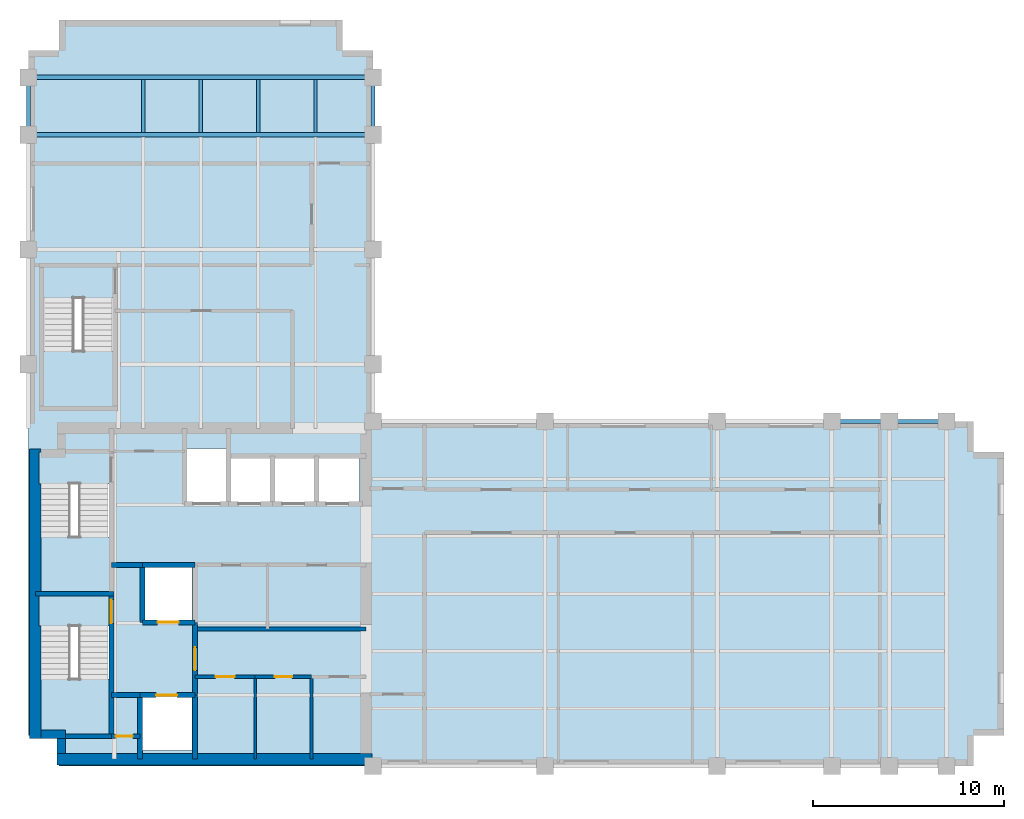
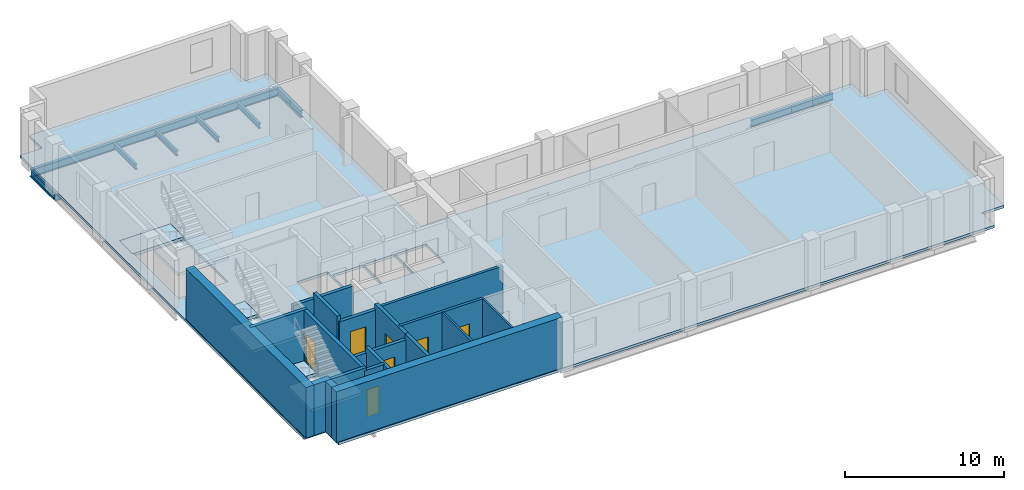
# One storey, part 2 of 6: 22 walls, 10 beams, 7 doors, 7 slabs, 7 openings, 3 elements without a shape of their own.
"""IFC4 building model written with IfcOpenShell, lengths in metres."""

from ifc_helpers import new_model, si_unit, direction, frame, frame_2d, origin, origin_2d, place, context, subcontext, project, spatial, polyline, rectangle, i_section, outline, extrude, material, layer, layer_set, material_profile, profile_set, type_object, element, fill, aggregate, save


model = new_model("IFC4")

# Units and contexts
model_context = context("Model", 3, precision=1e-05, world=origin(), true_north=direction((0.0, 1.0)))
body_context = subcontext(model_context, "Body", "Model", "MODEL_VIEW")
ifc_project = project(units=[si_unit("LENGTHUNIT", "METRE"), si_unit("AREAUNIT", "SQUARE_METRE"), si_unit("VOLUMEUNIT", "CUBIC_METRE"), si_unit("PLANEANGLEUNIT", "RADIAN"), si_unit("MASSUNIT", "GRAM", prefix="KILO")], contexts=[model_context])

# Site, building, storey
site_placement = place(None, origin())
site = spatial("IfcSite", under=ifc_project, at=site_placement, CompositionType="ELEMENT")
building_placement = place(site_placement, origin())
building = spatial("IfcBuilding", under=site, at=building_placement, Name="Mawjdan Bourse Tower", CompositionType="ELEMENT")
storey_placement = place(building_placement, frame((0.0, 0.0, 211.199951171875)))
storey = spatial("IfcBuildingStorey", under=building, at=storey_placement, Name="L51", CompositionType="ELEMENT", Elevation=211.199951171875)

# Beams
ifc_material_1 = material(Name="Structural Steel S355", Category="steel")
ifc_material_profile_1 = material_profile(ifc_material_1, i_section(OverallWidth=0.22998046875, OverallDepth=0.616943359375, WebThickness=0.01318359375, FlangeThickness=0.022216796875, FilletRadius=0.017822265625, at=origin_2d()), Name="W24X94")
ifc_profile_set_1 = profile_set([ifc_material_profile_1], Name="Structural Steel S355")
beam_type_1 = type_object("IfcBeamType", Name="GRD-W24X94", PredefinedType="BEAM", material=ifc_profile_set_1)
for number, where, z_axis, x_axis, name in (
    (1, (6.0, 36.0, -0.508544921875), (1.0, 0.0, 0.0), (0.0, 1.0, 0.0), "L51 North Wing Clear-Span Girder 049"),
    (2, (6.0, 39.0, -0.508544921875), (1.0, 0.0, 0.0), (0.0, 1.0, 0.0), "L51 North Wing Clear-Span Girder 050"),
):
    element("IfcBeam", number, at=place(storey_placement, frame(where, z_axis=z_axis, x_axis=x_axis)), inside=storey, type_object=beam_type_1, Name=name, PredefinedType="BEAM", context=body_context, shape_type="SweptSolid", body=[
        extrude(i_section(OverallWidth=0.22998046875, OverallDepth=0.616943359375, WebThickness=0.01318359375, FlangeThickness=0.022216796875, FilletRadius=0.017822265625, at=origin_2d()), origin(), (0.0, 0.0, 1.0), 18.0),
    ])
ifc_material_profile_2 = material_profile(ifc_material_1, i_section(OverallWidth=0.177978515625, OverallDepth=0.406982421875, WebThickness=0.0078125, FlangeThickness=0.0126953125, FilletRadius=0.01025390625, at=origin_2d()), Name="W16X40")
ifc_profile_set_2 = profile_set([ifc_material_profile_2], Name="Structural Steel S355")
beam_type_2 = type_object("IfcBeamType", Name="JST-W16X40", PredefinedType="JOIST", material=ifc_profile_set_2)
for number, where, z_axis, x_axis, name in (
    (3, (12.0, 36.113037109375, -0.403564453125), (0.0, 1.0, 0.0), (-1.0, 0.0, 0.0), "L51 North Wing Composite Joist 062"),
    (4, (15.0, 36.113037109375, -0.403564453125), (0.0, 1.0, 0.0), (-1.0, 0.0, 0.0), "L51 North Wing Composite Joist 066"),
    (5, (18.0, 36.113037109375, -0.403564453125), (0.0, 1.0, 0.0), (-1.0, 0.0, 0.0), "L51 North Wing Composite Joist 070"),
    (6, (21.0, 36.113037109375, -0.403564453125), (0.0, 1.0, 0.0), (-1.0, 0.0, 0.0), "L51 North Wing Composite Joist 074"),
):
    element("IfcBeam", number, at=place(storey_placement, frame(where, z_axis=z_axis, x_axis=x_axis)), inside=storey, type_object=beam_type_2, Name=name, PredefinedType="JOIST", context=body_context, shape_type="SweptSolid", body=[
        extrude(i_section(OverallWidth=0.177978515625, OverallDepth=0.406982421875, WebThickness=0.0078125, FlangeThickness=0.0126953125, FilletRadius=0.01025390625, at=origin_2d()), origin(), (0.0, 0.0, 1.0), 2.77392578125),
    ])
ifc_material_profile_3 = material_profile(ifc_material_1, i_section(OverallWidth=0.2099609375, OverallDepth=0.537109375, WebThickness=0.010986328125, FlangeThickness=0.017333984375, FilletRadius=0.013916015625, at=origin_2d()), Name="W21X68")
ifc_profile_set_3 = profile_set([ifc_material_profile_3], Name="Structural Steel S355")
beam_type_3 = type_object("IfcBeamType", Name="SPN-W21X68", PredefinedType="SPANDREL", material=ifc_profile_set_3)
for number, where, z_axis, x_axis, name in (
    (7, (48.0, 21.0, -0.468505859375), (1.0, 0.0, 0.0), (0.0, 1.0, 0.0), "L51 Perimeter Masonry-Shelf Spandrel 015"),
    (8, (51.0, 21.0, -0.468505859375), (1.0, 0.0, 0.0), (0.0, 1.0, 0.0), "L51 Perimeter Masonry-Shelf Spandrel 016"),
    (9, (6.0, 36.0, -0.468505859375), (0.0, 1.0, 0.0), (-1.0, 0.0, 0.0), "L51 North Wing Spandrel 054"),
    (10, (24.0, 36.0, -0.468505859375), (0.0, 1.0, 0.0), (-1.0, 0.0, 0.0), "L51 North Wing Spandrel 058"),
):
    element("IfcBeam", number, at=place(storey_placement, frame(where, z_axis=z_axis, x_axis=x_axis)), inside=storey, type_object=beam_type_3, Name=name, PredefinedType="SPANDREL", context=body_context, shape_type="SweptSolid", body=[
        extrude(i_section(OverallWidth=0.2099609375, OverallDepth=0.537109375, WebThickness=0.010986328125, FlangeThickness=0.017333984375, FilletRadius=0.013916015625, at=origin_2d()), origin(), (0.0, 0.0, 1.0), 3.0),
    ])

# Stair, slabs
ifc_material_2 = material(Name="Concrete C50/60", Category="concrete")
stair_type = type_object("IfcStairType", Name="STR-CORE-1500", PredefinedType="HALF_TURN_STAIR", material=ifc_material_2)
stair_1_placement = place(storey_placement, origin())
stair_1 = element("IfcStair", 11, at=stair_1_placement, inside=storey, type_object=stair_type, Name="L51 Exit Stair 1 (Core South-West)", PredefinedType="HALF_TURN_STAIR")
ifc_layer_1 = layer(ifc_material_2, 0.22998046875)
ifc_layer_set_1 = layer_set([ifc_layer_1], Name="Concrete C50/60")
slab_type_1 = type_object("IfcSlabType", Name="SL-LND-230", PredefinedType="LANDING", material=ifc_layer_set_1)
slab_1_placement = place(storey_placement, frame((0.0, 0.0, -0.22998046875)))
slab_1 = element("IfcSlab", 12, at=slab_1_placement, type_object=slab_type_1, Name="ST1-L51 landing 1", PredefinedType="LANDING", context=body_context, shape_type="SweptSolid", body=[
    extrude(outline(polyline([(6.5400390625, 10.31005859375), (10.260009765625, 10.31005859375), (10.260009765625, 11.969970703125), (6.5400390625, 11.969970703125), (6.5400390625, 10.31005859375)])), origin(), (0.0, 0.0, 1.0), 0.22998046875),
])
slab_2_placement = place(storey_placement, frame((0.0, 0.0, 1.719970703125)))
slab_2 = element("IfcSlab", 13, at=slab_2_placement, type_object=slab_type_1, Name="ST1-L51 landing 2", PredefinedType="LANDING", context=body_context, shape_type="SweptSolid", body=[
    extrude(outline(polyline([(6.5400390625, 4.590087890625), (10.260009765625, 4.590087890625), (10.260009765625, 7.5400390625), (6.5400390625, 7.5400390625), (6.5400390625, 4.590087890625)])), origin(), (0.0, 0.0, 1.0), 0.22998046875),
])
aggregate(stair_1, [slab_1, slab_2])

stair_2_placement = place(storey_placement, origin())
stair_2 = element("IfcStair", 14, at=stair_2_placement, inside=storey, type_object=stair_type, Name="L51 Exit Stair 2 (Core North-West)", PredefinedType="HALF_TURN_STAIR")
slab_3_placement = place(storey_placement, frame((0.0, 0.0, -0.22998046875)))
slab_3 = element("IfcSlab", 15, at=slab_3_placement, type_object=slab_type_1, Name="ST2-L51 landing 1", PredefinedType="LANDING", context=body_context, shape_type="SweptSolid", body=[
    extrude(outline(polyline([(6.5400390625, 17.75), (10.260009765625, 17.75), (10.260009765625, 19.409912109375), (6.5400390625, 19.409912109375), (6.5400390625, 17.75)])), origin(), (0.0, 0.0, 1.0), 0.22998046875),
])
slab_4_placement = place(storey_placement, frame((0.0, 0.0, 1.719970703125)))
slab_4 = element("IfcSlab", 16, at=slab_4_placement, type_object=slab_type_1, Name="ST2-L51 landing 2", PredefinedType="LANDING", context=body_context, shape_type="SweptSolid", body=[
    extrude(outline(polyline([(6.5400390625, 12.030029296875), (10.260009765625, 12.030029296875), (10.260009765625, 14.97998046875), (6.5400390625, 14.97998046875), (6.5400390625, 12.030029296875)])), origin(), (0.0, 0.0, 1.0), 0.22998046875),
])
aggregate(stair_2, [slab_3, slab_4])

stair_3_placement = place(storey_placement, origin())
stair_3 = element("IfcStair", 17, at=stair_3_placement, inside=storey, type_object=stair_type, Name="L51 Exit Stair 3 (North Wing)", PredefinedType="HALF_TURN_STAIR")
slab_5_placement = place(storey_placement, frame((0.0, 0.0, -0.22998046875)))
slab_5 = element("IfcSlab", 18, at=slab_5_placement, type_object=slab_type_1, Name="ST3-L51 landing 1", PredefinedType="LANDING", context=body_context, shape_type="SweptSolid", body=[
    extrude(outline(polyline([(6.739990234375, 27.4599609375), (10.4599609375, 27.4599609375), (10.4599609375, 29.1201171875), (6.739990234375, 29.1201171875), (6.739990234375, 27.4599609375)])), origin(), (0.0, 0.0, 1.0), 0.22998046875),
])
slab_6_placement = place(storey_placement, frame((0.0, 0.0, 1.719970703125)))
slab_6 = element("IfcSlab", 19, at=slab_6_placement, type_object=slab_type_1, Name="ST3-L51 landing 2", PredefinedType="LANDING", context=body_context, shape_type="SweptSolid", body=[
    extrude(outline(polyline([(6.739990234375, 21.739990234375), (10.4599609375, 21.739990234375), (10.4599609375, 24.68994140625), (6.739990234375, 24.68994140625), (6.739990234375, 21.739990234375)])), origin(), (0.0, 0.0, 1.0), 0.22998046875),
])
aggregate(stair_3, [slab_5, slab_6])

# Slab
ifc_layer_2 = layer(ifc_material_2, 0.199951171875)
ifc_layer_set_2 = layer_set([ifc_layer_2], Name="Concrete C50/60")
slab_type_2 = type_object("IfcSlabType", Name="SL-OFC-200", PredefinedType="FLOOR", material=ifc_layer_set_2)
slab_7_placement = place(storey_placement, frame((0.0, 0.0, -0.199951171875)))
element("IfcSlab", 20, at=slab_7_placement, inside=storey, type_object=slab_type_2, Name="L51 Structural Floor Slab 1", PredefinedType="FLOOR", context=body_context, shape_type="SweptSolid", body=[
    extrude(outline(polyline([(7.60009765625, 3.0), (55.39990234375, 3.0), (55.39990234375, 4.60009765625), (57.0, 4.60009765625), (57.0, 19.39990234375), (55.39990234375, 19.39990234375), (55.39990234375, 21.0), (24.0, 21.0), (24.0, 40.39990234375), (22.39990234375, 40.39990234375), (22.39990234375, 42.0), (7.60009765625, 42.0), (7.60009765625, 40.39990234375), (6.0, 40.39990234375), (6.0, 4.60009765625), (7.60009765625, 4.60009765625), (7.60009765625, 3.0)]), holes=[polyline([(6.5400390625, 11.969970703125), (10.260009765625, 11.969970703125), (10.260009765625, 10.31005859375), (10.199951171875, 10.31005859375), (10.199951171875, 4.64990234375), (6.60009765625, 4.64990234375), (6.60009765625, 10.31005859375), (6.5400390625, 10.31005859375), (6.5400390625, 11.969970703125)]), polyline([(6.60009765625, 12.090087890625), (6.60009765625, 17.75), (6.5400390625, 17.75), (6.5400390625, 19.409912109375), (10.260009765625, 19.409912109375), (10.260009765625, 17.75), (10.199951171875, 17.75), (10.199951171875, 12.090087890625), (6.60009765625, 12.090087890625)]), polyline([(10.4599609375, 29.1201171875), (10.4599609375, 27.4599609375), (10.39990234375, 27.4599609375), (10.39990234375, 21.800048828125), (6.800048828125, 21.800048828125), (6.800048828125, 27.4599609375), (6.739990234375, 27.4599609375), (6.739990234375, 29.1201171875), (10.4599609375, 29.1201171875)]), polyline([(14.550048828125, 3.800048828125), (11.949951171875, 3.800048828125), (11.949951171875, 6.60009765625), (14.550048828125, 6.60009765625), (14.550048828125, 3.800048828125)]), polyline([(12.050048828125, 10.60009765625), (12.050048828125, 13.39990234375), (14.550048828125, 13.39990234375), (14.550048828125, 10.60009765625), (12.050048828125, 10.60009765625)]), polyline([(16.5, 16.800048828125), (16.5, 19.14990234375), (18.699951171875, 19.14990234375), (18.699951171875, 16.800048828125), (16.5, 16.800048828125)]), polyline([(21.0, 16.800048828125), (18.800048828125, 16.800048828125), (18.800048828125, 19.14990234375), (21.0, 19.14990234375), (21.0, 16.800048828125)]), polyline([(21.10009765625, 16.800048828125), (21.10009765625, 19.14990234375), (23.300048828125, 19.14990234375), (23.300048828125, 16.800048828125), (21.10009765625, 16.800048828125)]), polyline([(14.199951171875, 16.800048828125), (14.199951171875, 19.60009765625), (16.39990234375, 19.60009765625), (16.39990234375, 16.800048828125), (14.199951171875, 16.800048828125)])]), origin(), (0.0, 0.0, 1.0), 0.199951171875),
])

# Wall, opening, door
ifc_material_3 = material(Name="Gypsum Fireboard Assembly")
ifc_layer_3 = layer(ifc_material_3, 0.199951171875)
ifc_layer_set_3 = layer_set([ifc_layer_3], Name="Gypsum Fireboard Assembly")
wall_type_1 = type_object("IfcWallType", Name="WL-CMP-200", PredefinedType="PARTITIONING", material=ifc_layer_set_3)
wall_1_placement = place(storey_placement, frame((14.699951171875, 7.659912109375, 0.0), z_axis=(0.0, 0.0, 1.0), x_axis=(1.0, 0.0, 0.0)))
wall_1 = element("IfcWall", 21, at=wall_1_placement, inside=storey, type_object=wall_type_1, Name="L51 Prayer & Quiet Reflection Room North Wall", PredefinedType="PARTITIONING", context=body_context, shape_type="SweptSolid", body=[
    extrude(rectangle(XDim=3.150146484375, YDim=0.199951171875, at=frame_2d((1.5751953125, 0.0))), origin(), (0.0, 0.0, 1.0), 3.68994140625),
])
opening_1_placement = place(wall_1_placement, frame((1.074951171875, 0.0, 0.0)))
opening_1 = element("IfcOpeningElement", 22, at=opening_1_placement, cuts=wall_1, Name="Opening D-L51-13", PredefinedType="OPENING", context=body_context, shape_type="SweptSolid", body=[
    extrude(rectangle(XDim=1.0, YDim=2.14990234375, at=frame_2d((0.5, 1.074951171875))), frame((0.0, 0.10986328125, 0.0), z_axis=(0.0, -1.0, 0.0), x_axis=(1.0, 0.0, 0.0)), (0.0, 0.0, 1.0), 0.219970703125),
])
ifc_material_4 = material(Name="Hardwood Acoustic Leaf", Category="wood")
door_type_1 = type_object("IfcDoorType", Name="DR-OFC-1000", OperationType="NOTDEFINED", PredefinedType="DOOR", material=ifc_material_4)
door_1_placement = place(opening_1_placement, origin())
door_1 = element("IfcDoor", 23, at=door_1_placement, inside=storey, type_object=door_type_1, Name="L51 Prayer & Quiet Reflection Room Door D-L51-13", OperationType="SINGLE_SWING_RIGHT", OverallHeight=2.14990234375, OverallWidth=1.0, PredefinedType="DOOR", context=body_context, shape_type="SweptSolid", body=[
    extrude(rectangle(XDim=1.0, YDim=2.14990234375, at=frame_2d((0.5, 1.074951171875))), frame((0.0, 0.02490234375, 0.0), z_axis=(0.0, -1.0, 0.0), x_axis=(1.0, 0.0, 0.0)), (0.0, 0.0, 1.0), 0.050048828125),
])
fill(opening_1, door_1)

wall_2_placement = place(storey_placement, frame((17.85009765625, 7.659912109375, 0.0), z_axis=(0.0, 0.0, 1.0), x_axis=(1.0, 0.0, 0.0)))
wall_2 = element("IfcWall", 24, at=wall_2_placement, inside=storey, type_object=wall_type_1, Name="L51 Electrical Switchboard Room North Wall", PredefinedType="PARTITIONING", context=body_context, shape_type="SweptSolid", body=[
    extrude(rectangle(XDim=2.949951171875, YDim=0.199951171875, at=frame_2d((1.47509765625, 0.0))), origin(), (0.0, 0.0, 1.0), 3.68994140625),
])
opening_2_placement = place(wall_2_placement, frame((1.02490234375, 0.0, 0.0)))
opening_2 = element("IfcOpeningElement", 25, at=opening_2_placement, cuts=wall_2, Name="Opening D-L51-14", PredefinedType="OPENING", context=body_context, shape_type="SweptSolid", body=[
    extrude(rectangle(XDim=0.89990234375, YDim=2.10009765625, at=frame_2d((0.449951171875, 1.050048828125))), frame((0.0, 0.10986328125, 0.0), z_axis=(0.0, -1.0, 0.0), x_axis=(1.0, 0.0, 0.0)), (0.0, 0.0, 1.0), 0.219970703125),
])
ifc_material_5 = material(Name="Fire-Rated Steel Access Leaf", Category="steel")
door_type_2 = type_object("IfcDoorType", Name="FD-RSR-0900", OperationType="NOTDEFINED", PredefinedType="TRAPDOOR", material=ifc_material_5)
door_2_placement = place(opening_2_placement, origin())
door_2 = element("IfcDoor", 26, at=door_2_placement, inside=storey, type_object=door_type_2, Name="L51 Electrical Switchboard Room Door D-L51-14", OperationType="SINGLE_SWING_LEFT", OverallHeight=2.10009765625, OverallWidth=0.89990234375, PredefinedType="TRAPDOOR", context=body_context, shape_type="SweptSolid", body=[
    extrude(rectangle(XDim=0.89990234375, YDim=2.10009765625, at=frame_2d((0.449951171875, 1.050048828125))), frame((0.0, 0.02490234375, 0.0), z_axis=(0.0, -1.0, 0.0), x_axis=(1.0, 0.0, 0.0)), (0.0, 0.0, 1.0), 0.050048828125),
])
fill(opening_2, door_2)

# Walls
wall_3_placement = place(storey_placement, frame((14.824951171875, 10.14990234375, 0.0), z_axis=(0.0, 0.0, 1.0), x_axis=(1.0, 0.0, 0.0)))
element("IfcWall", 27, at=wall_3_placement, inside=storey, type_object=wall_type_1, Name="L51 Core Restroom Suite South Wall", PredefinedType="PARTITIONING", context=body_context, shape_type="SweptSolid", body=[
    extrude(rectangle(XDim=8.824951171875, YDim=0.199951171875, at=frame_2d((4.41259765625, 0.0))), origin(), (0.0, 0.0, 1.0), 3.68994140625),
])
ifc_material_6 = material(Name="Concrete C60/75", Category="concrete")
ifc_layer_4 = layer(ifc_material_6, 0.449951171875)
ifc_layer_set_4 = layer_set([ifc_layer_4], Name="Concrete C60/75")
wall_type_2 = type_object("IfcWallType", Name="WL-CORE-450", PredefinedType="SHEAR", material=ifc_layer_set_4)
wall_4_placement = place(storey_placement, frame((6.64990234375, 4.64990234375, 0.0), z_axis=(0.0, 0.0, 1.0), x_axis=(1.0, 0.0, 0.0)))
element("IfcWall", 28, at=wall_4_placement, inside=storey, type_object=wall_type_2, Name="L51 Rear Core Shear Wall SW-X", PredefinedType="SHEAR", context=body_context, shape_type="SweptSolid", body=[
    extrude(rectangle(XDim=1.275146484375, YDim=0.449951171875, at=frame_2d((0.6376953125, 0.0))), origin(), (0.0, 0.0, 1.0), 3.900146484375),
])
wall_5_placement = place(storey_placement, frame((7.699951171875, 3.64990234375, 0.0), z_axis=(0.0, 0.0, 1.0), x_axis=(0.0, 1.0, 0.0)))
element("IfcWall", 29, at=wall_5_placement, inside=storey, type_object=wall_type_2, Name="L51 Rear Core Shear Wall SW-Y", PredefinedType="SHEAR", context=body_context, shape_type="SweptSolid", body=[
    extrude(rectangle(XDim=0.775146484375, YDim=0.449951171875, at=frame_2d((0.3876953125, 0.0))), origin(), (0.0, 0.0, 1.0), 3.900146484375),
])
ifc_material_7 = material(Name="Concrete C70/85", Category="concrete")
ifc_layer_5 = layer(ifc_material_7, 0.60009765625)
ifc_layer_set_5 = layer_set([ifc_layer_5], Name="Concrete C70/85")
wall_type_3 = type_object("IfcWallType", Name="WL-CORE-600", PredefinedType="SHEAR", material=ifc_layer_set_5)
wall_6_placement = place(storey_placement, frame((7.47509765625, 3.35009765625, 0.0), z_axis=(0.0, 0.0, 1.0), x_axis=(1.0, 0.0, 0.0)))
element("IfcWall", 30, at=wall_6_placement, inside=storey, type_object=wall_type_3, Name="L51 Rear Core Shear Wall S", PredefinedType="SHEAR", context=body_context, shape_type="SweptSolid", body=[
    extrude(rectangle(XDim=16.474853515625, YDim=0.60009765625, at=frame_2d((8.2373046875, 0.0))), origin(), (0.0, 0.0, 1.0), 3.900146484375),
])
wall_7_placement = place(storey_placement, frame((6.35009765625, 4.425048828125, 0.0), z_axis=(0.0, 0.0, 1.0), x_axis=(0.0, 1.0, 0.0)))
element("IfcWall", 31, at=wall_7_placement, inside=storey, type_object=wall_type_3, Name="L51 Rear Core Shear Wall W", PredefinedType="SHEAR", context=body_context, shape_type="SweptSolid", body=[
    extrude(rectangle(XDim=15.14990234375, YDim=0.60009765625, at=frame_2d((7.574951171875, 0.0))), origin(), (0.0, 0.0, 1.0), 3.900146484375),
])
ifc_material_8 = material(Name="Gypsum Acoustic Partition")
ifc_layer_6 = layer(ifc_material_8, 0.14990234375)
ifc_layer_set_6 = layer_set([ifc_layer_6], Name="Gypsum Acoustic Partition")
wall_type_4 = type_object("IfcWallType", Name="WL-PRT-150", PredefinedType="PARTITIONING", material=ifc_layer_set_6)
for number, where, z_axis, x_axis, name in (
    (32, (17.85009765625, 3.35009765625, 0.0), (0.0, 0.0, 1.0), (0.0, 1.0, 0.0), "L51 Electrical Switchboard Room Core Split Wall"),
    (33, (20.800048828125, 3.35009765625, 0.0), (0.0, 0.0, 1.0), (0.0, 1.0, 0.0), "L51 Staff Beverage Pantry Core Split Wall"),
):
    element("IfcWall", number, at=place(storey_placement, frame(where, z_axis=z_axis, x_axis=x_axis)), inside=storey, type_object=wall_type_4, Name=name, PredefinedType="PARTITIONING", context=body_context, shape_type="SweptSolid", body=[
        extrude(rectangle(XDim=4.309814453125, YDim=0.14990234375, at=frame_2d((2.15478515625, 0.0))), origin(), (0.0, 0.0, 1.0), 3.68994140625),
    ])

# Wall, opening, door
ifc_layer_7 = layer(ifc_material_2, 0.25)
ifc_layer_set_7 = layer_set([ifc_layer_7], Name="Concrete C50/60")
wall_type_5 = type_object("IfcWallType", Name="WL-SHFT-250", PredefinedType="PARTITIONING", material=ifc_layer_set_7)
wall_8_placement = place(storey_placement, frame((10.330078125, 4.550048828125, 0.0), z_axis=(0.0, 0.0, 1.0), x_axis=(1.0, 0.0, 0.0)))
wall_8 = element("IfcWall", 34, at=wall_8_placement, inside=storey, type_object=wall_type_5, Name="L51 SW Riser North Wall", PredefinedType="PARTITIONING", context=body_context, shape_type="SweptSolid", body=[
    extrude(rectangle(XDim=1.489990234375, YDim=0.25, at=frame_2d((0.7451171875, 0.0))), origin(), (0.0, 0.0, 1.0), 3.68994140625),
])
opening_3_placement = place(wall_8_placement, frame((0.219970703125, 0.0, 0.0)))
opening_3 = element("IfcOpeningElement", 35, at=opening_3_placement, cuts=wall_8, Name="Opening RD-L51-03", PredefinedType="OPENING", context=body_context, shape_type="SweptSolid", body=[
    extrude(rectangle(XDim=0.89990234375, YDim=2.10009765625, at=frame_2d((0.449951171875, 1.050048828125))), frame((0.0, 0.135009765625, 0.0), z_axis=(0.0, -1.0, 0.0), x_axis=(1.0, 0.0, 0.0)), (0.0, 0.0, 1.0), 0.27001953125),
])
door_3_placement = place(opening_3_placement, origin())
door_3 = element("IfcDoor", 36, at=door_3_placement, inside=storey, type_object=door_type_2, Name="L51 Electrical Riser Access Door RD-L51-03", OperationType="SINGLE_SWING_RIGHT", OverallHeight=2.10009765625, OverallWidth=0.89990234375, PredefinedType="TRAPDOOR", context=body_context, shape_type="SweptSolid", body=[
    extrude(rectangle(XDim=0.89990234375, YDim=2.10009765625, at=frame_2d((0.449951171875, 1.050048828125))), frame((0.0, 0.02490234375, 0.0), z_axis=(0.0, -1.0, 0.0), x_axis=(1.0, 0.0, 0.0)), (0.0, 0.0, 1.0), 0.050048828125),
])
fill(opening_3, door_3)

# Wall
wall_9_placement = place(storey_placement, frame((11.820068359375, 3.35009765625, 0.0), z_axis=(0.0, 0.0, 1.0), x_axis=(0.0, 1.0, 0.0)))
element("IfcWall", 37, at=wall_9_placement, inside=storey, type_object=wall_type_5, Name="L51 SW Riser & FFL01 West Wall", PredefinedType="PARTITIONING", context=body_context, shape_type="SweptSolid", body=[
    extrude(rectangle(XDim=3.349853515625, YDim=0.25, at=frame_2d((1.6748046875, 0.0))), origin(), (0.0, 0.0, 1.0), 3.68994140625),
])

# Wall, opening, door
wall_10_placement = place(storey_placement, frame((11.820068359375, 6.699951171875, 0.0), z_axis=(0.0, 0.0, 1.0), x_axis=(1.0, 0.0, 0.0)))
wall_10 = element("IfcWall", 38, at=wall_10_placement, inside=storey, type_object=wall_type_5, Name="L51 FFL-01 Front Shaft Wall", PredefinedType="PARTITIONING", context=body_context, shape_type="SweptSolid", body=[
    extrude(rectangle(XDim=2.8798828125, YDim=0.25, at=frame_2d((1.43994140625, 0.0))), origin(), (0.0, 0.0, 1.0), 3.282958984375),
])
opening_4_placement = place(wall_10_placement, frame((0.85009765625, 0.0, 0.0)))
opening_4 = element("IfcOpeningElement", 39, at=opening_4_placement, cuts=wall_10, Name="Opening LD-L51-05", PredefinedType="OPENING", context=body_context, shape_type="SweptSolid", body=[
    extrude(rectangle(XDim=1.10009765625, YDim=2.25, at=frame_2d((0.550048828125, 1.125))), frame((0.0, 0.135009765625, 0.0), z_axis=(0.0, -1.0, 0.0), x_axis=(1.0, 0.0, 0.0)), (0.0, 0.0, 1.0), 0.27001953125),
])
ifc_material_9 = material(Name="Brushed Stainless Steel", Category="steel")
door_type_3 = type_object("IfcDoorType", Name="LD-FFL-1100", OperationType="DOUBLE_DOOR_SLIDING", PredefinedType="DOOR", material=ifc_material_9)
door_4_placement = place(opening_4_placement, origin())
door_4 = element("IfcDoor", 40, at=door_4_placement, inside=storey, type_object=door_type_3, Name="L51 Firefighting Lift FFL-01 Landing Door LD-L51-05", OperationType="DOUBLE_DOOR_SLIDING", OverallHeight=2.25, OverallWidth=1.10009765625, PredefinedType="DOOR", context=body_context, shape_type="SweptSolid", body=[
    extrude(rectangle(XDim=1.10009765625, YDim=2.25, at=frame_2d((0.550048828125, 1.125))), frame((0.0, 0.02490234375, 0.0), z_axis=(0.0, -1.0, 0.0), x_axis=(1.0, 0.0, 0.0)), (0.0, 0.0, 1.0), 0.050048828125),
])
fill(opening_4, door_4)

# Wall
wall_11_placement = place(storey_placement, frame((14.699951171875, 3.35009765625, 0.0), z_axis=(0.0, 0.0, 1.0), x_axis=(0.0, 1.0, 0.0)))
element("IfcWall", 41, at=wall_11_placement, inside=storey, type_object=wall_type_5, Name="L51 FFL-01 East Shaft Wall", PredefinedType="PARTITIONING", context=body_context, shape_type="SweptSolid", body=[
    extrude(rectangle(XDim=3.349853515625, YDim=0.25, at=frame_2d((1.6748046875, 0.0))), origin(), (0.0, 0.0, 1.0), 3.68994140625),
])

# Wall, opening, door
wall_12_placement = place(storey_placement, frame((11.949951171875, 10.5, 0.0), z_axis=(0.0, 0.0, 1.0), x_axis=(1.0, 0.0, 0.0)))
wall_12 = element("IfcWall", 42, at=wall_12_placement, inside=storey, type_object=wall_type_5, Name="L51 FFL-02 Front Shaft Wall", PredefinedType="PARTITIONING", context=body_context, shape_type="SweptSolid", body=[
    extrude(rectangle(XDim=2.75, YDim=0.25, at=frame_2d((1.375, 0.0))), origin(), (0.0, 0.0, 1.0), 3.282958984375),
])
opening_5_placement = place(wall_12_placement, frame((0.800048828125, 0.0, 0.0)))
opening_5 = element("IfcOpeningElement", 43, at=opening_5_placement, cuts=wall_12, Name="Opening LD-L51-06", PredefinedType="OPENING", context=body_context, shape_type="SweptSolid", body=[
    extrude(rectangle(XDim=1.10009765625, YDim=2.25, at=frame_2d((0.550048828125, 1.125))), frame((0.0, 0.135009765625, 0.0), z_axis=(0.0, -1.0, 0.0), x_axis=(1.0, 0.0, 0.0)), (0.0, 0.0, 1.0), 0.27001953125),
])
door_5_placement = place(opening_5_placement, origin())
door_5 = element("IfcDoor", 44, at=door_5_placement, inside=storey, type_object=door_type_3, Name="L51 Firefighting Lift FFL-02 Landing Door LD-L51-06", OperationType="DOUBLE_DOOR_SLIDING", OverallHeight=2.25, OverallWidth=1.10009765625, PredefinedType="DOOR", context=body_context, shape_type="SweptSolid", body=[
    extrude(rectangle(XDim=1.10009765625, YDim=2.25, at=frame_2d((0.550048828125, 1.125))), frame((0.0, 0.02490234375, 0.0), z_axis=(0.0, -1.0, 0.0), x_axis=(1.0, 0.0, 0.0)), (0.0, 0.0, 1.0), 0.050048828125),
])
fill(opening_5, door_5)

# Walls
wall_13_placement = place(storey_placement, frame((11.949951171875, 10.5, 0.0), z_axis=(0.0, 0.0, 1.0), x_axis=(0.0, 1.0, 0.0)))
element("IfcWall", 45, at=wall_13_placement, inside=storey, type_object=wall_type_5, Name="L51 FFL-02 West Shaft Wall", PredefinedType="PARTITIONING", context=body_context, shape_type="SweptSolid", body=[
    extrude(rectangle(XDim=3.0, YDim=0.25, at=frame_2d((1.5, 0.0))), origin(), (0.0, 0.0, 1.0), 3.68994140625),
])
wall_14_placement = place(storey_placement, frame((11.949951171875, 13.5, 0.0), z_axis=(0.0, 0.0, 1.0), x_axis=(1.0, 0.0, 0.0)))
element("IfcWall", 46, at=wall_14_placement, inside=storey, type_object=wall_type_5, Name="L51 FFL-02 North Shaft Wall", PredefinedType="PARTITIONING", context=body_context, shape_type="SweptSolid", body=[
    extrude(rectangle(XDim=2.75, YDim=0.25, at=frame_2d((1.375, 0.0))), origin(), (0.0, 0.0, 1.0), 3.282958984375),
])

# Wall, opening, door
wall_15_placement = place(storey_placement, frame((14.699951171875, 6.699951171875, 0.0), z_axis=(0.0, 0.0, 1.0), x_axis=(0.0, 1.0, 0.0)))
wall_15 = element("IfcWall", 47, at=wall_15_placement, inside=storey, type_object=wall_type_5, Name="L51 Firefighting Lobby East Compartment Wall", PredefinedType="PARTITIONING", context=body_context, shape_type="SweptSolid", body=[
    extrude(rectangle(XDim=3.800048828125, YDim=0.25, at=frame_2d((1.89990234375, 0.0))), origin(), (0.0, 0.0, 1.0), 3.68994140625),
])
opening_6_placement = place(wall_15_placement, frame((1.300048828125, 0.0, 0.0)))
opening_6 = element("IfcOpeningElement", 48, at=opening_6_placement, cuts=wall_15, Name="Opening FD-L51-07", PredefinedType="OPENING", context=body_context, shape_type="SweptSolid", body=[
    extrude(rectangle(XDim=1.199951171875, YDim=2.199951171875, at=frame_2d((0.60009765625, 1.10009765625))), frame((0.0, 0.135009765625, 0.0), z_axis=(0.0, -1.0, 0.0), x_axis=(1.0, 0.0, 0.0)), (0.0, 0.0, 1.0), 0.27001953125),
])
ifc_material_10 = material(Name="Fire-Rated Steel Leaf", Category="steel")
door_type_4 = type_object("IfcDoorType", Name="FD-FFL-1200", OperationType="NOTDEFINED", PredefinedType="DOOR", material=ifc_material_10)
door_6_placement = place(opening_6_placement, origin())
door_6 = element("IfcDoor", 49, at=door_6_placement, inside=storey, type_object=door_type_4, Name="L51 Firefighting Lobby East Smoke Door FD-L51-07", OperationType="SINGLE_SWING_RIGHT", OverallHeight=2.199951171875, OverallWidth=1.199951171875, PredefinedType="DOOR", context=body_context, shape_type="SweptSolid", body=[
    extrude(rectangle(XDim=1.199951171875, YDim=2.199951171875, at=frame_2d((0.60009765625, 1.10009765625))), frame((0.0, 0.02490234375, 0.0), z_axis=(0.0, -1.0, 0.0), x_axis=(1.0, 0.0, 0.0)), (0.0, 0.0, 1.0), 0.050048828125),
])
fill(opening_6, door_6)

# Walls
wall_16_placement = place(storey_placement, frame((10.330078125, 13.5, 0.0), z_axis=(0.0, 0.0, 1.0), x_axis=(1.0, 0.0, 0.0)))
element("IfcWall", 50, at=wall_16_placement, inside=storey, type_object=wall_type_5, Name="L51 Firefighting Lobby North Compartment Wall", PredefinedType="PARTITIONING", context=body_context, shape_type="SweptSolid", body=[
    extrude(rectangle(XDim=1.619873046875, YDim=0.25, at=frame_2d((0.81005859375, 0.0))), origin(), (0.0, 0.0, 1.0), 3.282958984375),
])
wall_17_placement = place(storey_placement, frame((10.330078125, 6.699951171875, 0.0), z_axis=(0.0, 0.0, 1.0), x_axis=(1.0, 0.0, 0.0)))
element("IfcWall", 51, at=wall_17_placement, inside=storey, type_object=wall_type_5, Name="L51 Firefighting Lobby South Closure Wall", PredefinedType="PARTITIONING", context=body_context, shape_type="SweptSolid", body=[
    extrude(rectangle(XDim=1.489990234375, YDim=0.25, at=frame_2d((0.7451171875, 0.0))), origin(), (0.0, 0.0, 1.0), 3.282958984375),
])
ifc_layer_8 = layer(ifc_material_2, 0.25)
ifc_layer_set_8 = layer_set([ifc_layer_8], Name="Concrete C50/60")
wall_type_6 = type_object("IfcWallType", Name="WL-STRW-250", PredefinedType="SHEAR", material=ifc_layer_set_8)
wall_18_placement = place(storey_placement, frame((6.35009765625, 12.0, 0.0), z_axis=(0.0, 0.0, 1.0), x_axis=(1.0, 0.0, 0.0)))
element("IfcWall", 52, at=wall_18_placement, inside=storey, type_object=wall_type_6, Name="L51 Stairwell Dividing Shaft Wall", PredefinedType="SHEAR", context=body_context, shape_type="SweptSolid", body=[
    extrude(rectangle(XDim=4.10498046875, YDim=0.25, at=frame_2d((2.052490234375, 0.0))), origin(), (0.0, 0.0, 1.0), 3.900146484375),
])
wall_19_placement = place(storey_placement, frame((7.699951171875, 4.550048828125, 0.0), z_axis=(0.0, 0.0, 1.0), x_axis=(1.0, 0.0, 0.0)))
element("IfcWall", 53, at=wall_19_placement, inside=storey, type_object=wall_type_6, Name="L51 Stairwell ST1 South Shaft Wall", PredefinedType="SHEAR", context=body_context, shape_type="SweptSolid", body=[
    extrude(rectangle(XDim=2.755126953125, YDim=0.25, at=frame_2d((1.37744140625, 0.0))), origin(), (0.0, 0.0, 1.0), 3.900146484375),
])

# Wall, opening, door
wall_20_placement = place(storey_placement, frame((10.330078125, 4.550048828125, 0.0), z_axis=(0.0, 0.0, 1.0), x_axis=(0.0, 1.0, 0.0)))
wall_20 = element("IfcWall", 54, at=wall_20_placement, inside=storey, type_object=wall_type_6, Name="L51 Stairwell ST1 East Enclosure Wall", PredefinedType="SHEAR", context=body_context, shape_type="SweptSolid", body=[
    extrude(rectangle(XDim=7.449951171875, YDim=0.25, at=frame_2d((3.72509765625, 0.0))), origin(), (0.0, 0.0, 1.0), 3.900146484375),
])
opening_7_placement = place(wall_20_placement, frame((5.89990234375, 0.0, 0.0)))
opening_7 = element("IfcOpeningElement", 55, at=opening_7_placement, cuts=wall_20, Name="Opening SD-L51-01", PredefinedType="OPENING", context=body_context, shape_type="SweptSolid", body=[
    extrude(rectangle(XDim=1.25, YDim=2.199951171875, at=frame_2d((0.625, 1.10009765625))), frame((0.0, 0.135009765625, 0.0), z_axis=(0.0, -1.0, 0.0), x_axis=(1.0, 0.0, 0.0)), (0.0, 0.0, 1.0), 0.27001953125),
])
door_type_5 = type_object("IfcDoorType", Name="FD-ST-1250", OperationType="NOTDEFINED", PredefinedType="DOOR", material=ifc_material_10)
door_7_placement = place(opening_7_placement, origin())
door_7 = element("IfcDoor", 56, at=door_7_placement, inside=storey, type_object=door_type_5, Name="L51 Exit Stair ST1 Fire Door SD-L51-01", OperationType="SINGLE_SWING_RIGHT", OverallHeight=2.199951171875, OverallWidth=1.25, PredefinedType="DOOR", context=body_context, shape_type="SweptSolid", body=[
    extrude(rectangle(XDim=1.25, YDim=2.199951171875, at=frame_2d((0.625, 1.10009765625))), frame((0.0, 0.02490234375, 0.0), z_axis=(0.0, -1.0, 0.0), x_axis=(1.0, 0.0, 0.0)), (0.0, 0.0, 1.0), 0.050048828125),
])
fill(opening_7, door_7)

save(model, "model.ifc")
